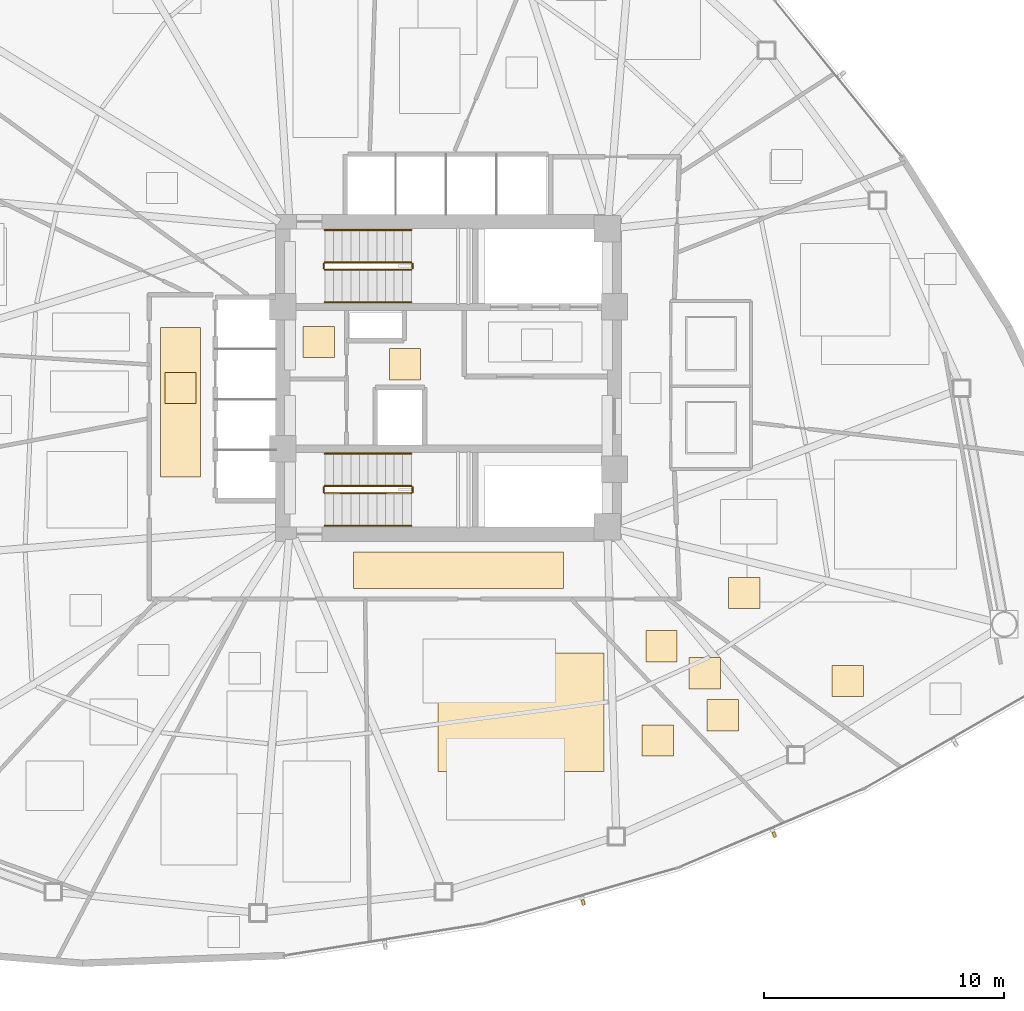
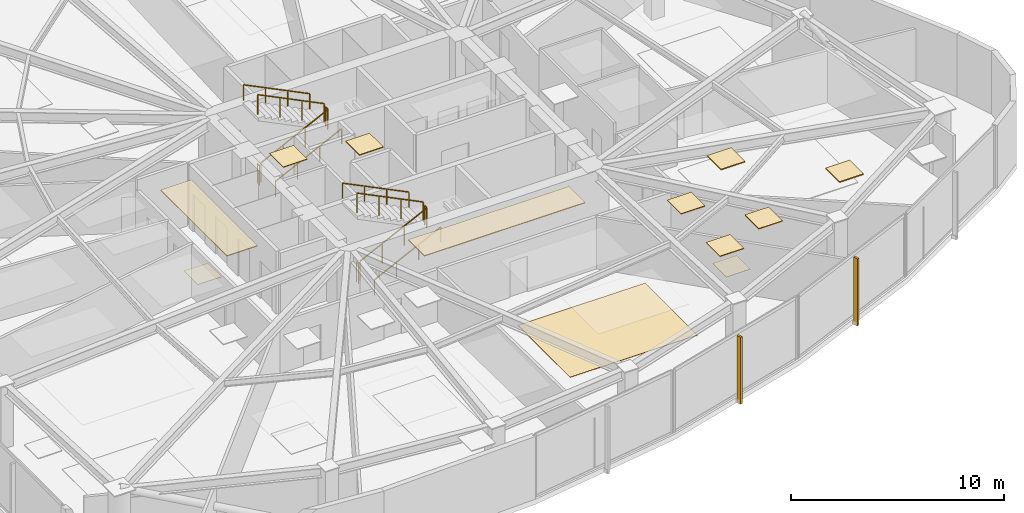
# One storey, part 15 of 17: 12 coverings, 12 railings, 2 shading devices.
"""IFC4 building model written with IfcOpenShell, lengths in metres."""

from ifc_helpers import new_model, si_unit, direction, frame, origin, origin_2d, place, context, subcontext, project, spatial, polyline, rectangle, outline, extrude, source, transform, mapped, material, layer, layer_set, type_object, type_shapes, element, save


model = new_model("IFC4")

# Units and contexts
model_context = context("Model", 3, precision=1e-05, world=origin(), true_north=direction((0.0, 1.0)))
body_context = subcontext(model_context, "Body", "Model", "MODEL_VIEW")
ifc_project = project(units=[si_unit("LENGTHUNIT", "METRE"), si_unit("AREAUNIT", "SQUARE_METRE"), si_unit("VOLUMEUNIT", "CUBIC_METRE"), si_unit("PLANEANGLEUNIT", "RADIAN"), si_unit("MASSUNIT", "GRAM", prefix="KILO")], contexts=[model_context])

# Site, building, storey
site_placement = place(None, origin())
site = spatial("IfcSite", under=ifc_project, at=site_placement, CompositionType="ELEMENT")
building_placement = place(site_placement, origin())
building = spatial("IfcBuilding", under=site, at=building_placement, Name="Tavelor Broadcast Tower", CompositionType="ELEMENT")
storey_placement = place(building_placement, frame((0.0, 0.0, 78.300048828125)))
storey = spatial("IfcBuildingStorey", under=building, at=storey_placement, Name="L18", CompositionType="ELEMENT", Elevation=78.300048828125)

# Coverings
ifc_material_1 = material(Name="Copper-Bronze Anodized Aluminium", Category="aluminium")
ifc_layer_1 = layer(ifc_material_1, 0.044921875)
ifc_layer_set_1 = layer_set([ifc_layer_1], Name="Copper-Bronze Anodized Aluminium")
covering_type_1 = type_object("IfcCoveringType", Name="Anodised Bronze Linear Slatted Concourse Ceiling 45 mm", PredefinedType="CEILING", material=ifc_layer_set_1)
covering_1_placement = place(storey_placement, frame((0.0, 0.0, 3.554931640625)))
element("IfcCovering", 1, at=covering_1_placement, inside=storey, type_object=covering_type_1, Name="L18 Suspended Acoustic Ceiling 0734", PredefinedType="CEILING", context=body_context, shape_type="SweptSolid", body=[
    extrude(outline(polyline([(47.5400390625, 44.919921875), (48.840087890625, 44.919921875), (48.840087890625, 46.219970703125), (47.5400390625, 46.219970703125), (47.5400390625, 44.919921875)])), origin(), (0.0, 0.0, 1.0), 0.044921875),
])
covering_2_placement = place(storey_placement, frame((0.0, 0.0, 3.554931640625)))
element("IfcCovering", 2, at=covering_2_placement, inside=storey, type_object=covering_type_1, Name="L18 Suspended Acoustic Ceiling 0737", PredefinedType="CEILING", context=body_context, shape_type="SweptSolid", body=[
    extrude(outline(polyline([(46.05078125, 36.23828125), (54.776611328125, 36.23828125), (54.776611328125, 37.76171875), (46.05078125, 37.76171875), (46.05078125, 36.23828125)])), origin(), (0.0, 0.0, 1.0), 0.044921875),
])
covering_3_placement = place(storey_placement, frame((0.0, 0.0, 3.554931640625)))
element("IfcCovering", 3, at=covering_3_placement, inside=storey, type_object=covering_type_1, Name="L18 Suspended Acoustic Ceiling 0738", PredefinedType="CEILING", context=body_context, shape_type="SweptSolid", body=[
    extrude(outline(polyline([(38.01611328125, 40.868896484375), (39.683837890625, 40.868896484375), (39.683837890625, 47.096923828125), (38.01611328125, 47.096923828125), (38.01611328125, 40.868896484375)])), origin(), (0.0, 0.0, 1.0), 0.044921875),
])

# Railings
ifc_material_2 = material(Name="Steel S355", Category="steel")
railing_type_1 = type_object("IfcRailingType", Name="Continuous Brushed Stainless Handrail 900 mm", PredefinedType="HANDRAIL", material=ifc_material_2)
railing_1_placement = place(storey_placement, frame((44.85009765625, 48.14990234375, 0.17724609375)))
element("IfcRailing", 4, at=railing_1_placement, inside=storey, type_object=railing_type_1, Name="L18 ST1 stair handrail 1", PredefinedType="HANDRAIL", context=body_context, shape_type="SweptSolid", body=[
    extrude(rectangle(XDim=0.048095703125, YDim=0.048095703125, at=origin_2d()), frame((0.0, 0.0, 0.8759765625), z_axis=(0.897124305991, 0.0, 0.441778201817), x_axis=(0.0, 1.0, 0.0)), (0.0, 0.0, 1.0), 4.0126953125),
    extrude(rectangle(XDim=0.0419921875, YDim=0.0419921875, at=origin_2d()), origin(), (0.0, 0.0, 1.0), 0.851806640625),
    extrude(rectangle(XDim=0.0419921875, YDim=0.0419921875, at=origin_2d()), frame((1.199951171875, 0.0, 0.5908203125)), (0.0, 0.0, 1.0), 0.851806640625),
    extrude(rectangle(XDim=0.0419921875, YDim=0.0419921875, at=origin_2d()), frame((2.39990234375, 0.0, 1.181884765625)), (0.0, 0.0, 1.0), 0.851806640625),
    extrude(rectangle(XDim=0.0419921875, YDim=0.0419921875, at=origin_2d()), frame((3.599853515625, 0.0, 1.772705078125)), (0.0, 0.0, 1.0), 0.851806640625),
])
railing_2_placement = place(storey_placement, frame((48.449951171875, 51.14990234375, 2.127197265625)))
element("IfcRailing", 5, at=railing_2_placement, inside=storey, type_object=railing_type_1, Name="L18 ST1 stair handrail 2", PredefinedType="HANDRAIL", context=body_context, shape_type="SweptSolid", body=[
    extrude(rectangle(XDim=0.048095703125, YDim=0.048095703125, at=origin_2d()), frame((0.0, 0.0, 0.8759765625), z_axis=(-0.897124305991, 0.0, 0.441778201817), x_axis=(0.0, -1.0, 0.0)), (0.0, 0.0, 1.0), 4.0126953125),
    extrude(rectangle(XDim=0.0419921875, YDim=0.0419921875, at=origin_2d()), origin(), (0.0, 0.0, 1.0), 0.851806640625),
    extrude(rectangle(XDim=0.0419921875, YDim=0.0419921875, at=origin_2d()), frame((-1.199951171875, 0.0, 0.5908203125)), (0.0, 0.0, 1.0), 0.851806640625),
    extrude(rectangle(XDim=0.0419921875, YDim=0.0419921875, at=origin_2d()), frame((-2.39990234375, 0.0, 1.181884765625)), (0.0, 0.0, 1.0), 0.851806640625),
    extrude(rectangle(XDim=0.0419921875, YDim=0.0419921875, at=origin_2d()), frame((-3.599853515625, 0.0, 1.772705078125)), (0.0, 0.0, 1.0), 0.851806640625),
])
railing_3_placement = place(storey_placement, frame((44.85009765625, 38.85009765625, 0.17724609375)))
element("IfcRailing", 6, at=railing_3_placement, inside=storey, type_object=railing_type_1, Name="L18 ST2 stair handrail 1", PredefinedType="HANDRAIL", context=body_context, shape_type="SweptSolid", body=[
    extrude(rectangle(XDim=0.048095703125, YDim=0.048095703125, at=origin_2d()), frame((0.0, 0.0, 0.8759765625), z_axis=(0.897124305991, 0.0, 0.441778201817), x_axis=(0.0, 1.0, 0.0)), (0.0, 0.0, 1.0), 4.0126953125),
    extrude(rectangle(XDim=0.0419921875, YDim=0.0419921875, at=origin_2d()), origin(), (0.0, 0.0, 1.0), 0.851806640625),
    extrude(rectangle(XDim=0.0419921875, YDim=0.0419921875, at=origin_2d()), frame((1.199951171875, 0.0, 0.5908203125)), (0.0, 0.0, 1.0), 0.851806640625),
    extrude(rectangle(XDim=0.0419921875, YDim=0.0419921875, at=origin_2d()), frame((2.39990234375, 0.0, 1.181884765625)), (0.0, 0.0, 1.0), 0.851806640625),
    extrude(rectangle(XDim=0.0419921875, YDim=0.0419921875, at=origin_2d()), frame((3.599853515625, 0.0, 1.772705078125)), (0.0, 0.0, 1.0), 0.851806640625),
])
railing_4_placement = place(storey_placement, frame((48.449951171875, 41.85009765625, 2.127197265625)))
element("IfcRailing", 7, at=railing_4_placement, inside=storey, type_object=railing_type_1, Name="L18 ST2 stair handrail 2", PredefinedType="HANDRAIL", context=body_context, shape_type="SweptSolid", body=[
    extrude(rectangle(XDim=0.048095703125, YDim=0.048095703125, at=origin_2d()), frame((0.0, 0.0, 0.8759765625), z_axis=(-0.897124305991, 0.0, 0.441778201817), x_axis=(0.0, -1.0, 0.0)), (0.0, 0.0, 1.0), 4.0126953125),
    extrude(rectangle(XDim=0.0419921875, YDim=0.0419921875, at=origin_2d()), origin(), (0.0, 0.0, 1.0), 0.851806640625),
    extrude(rectangle(XDim=0.0419921875, YDim=0.0419921875, at=origin_2d()), frame((-1.199951171875, 0.0, 0.5908203125)), (0.0, 0.0, 1.0), 0.851806640625),
    extrude(rectangle(XDim=0.0419921875, YDim=0.0419921875, at=origin_2d()), frame((-2.39990234375, 0.0, 1.181884765625)), (0.0, 0.0, 1.0), 0.851806640625),
    extrude(rectangle(XDim=0.0419921875, YDim=0.0419921875, at=origin_2d()), frame((-3.599853515625, 0.0, 1.772705078125)), (0.0, 0.0, 1.0), 0.851806640625),
])

# Coverings
ifc_material_3 = material(Name="Acoustic Nylon Carpet Tile")
ifc_layer_2 = layer(ifc_material_3, 0.02001953125)
ifc_layer_set_2 = layer_set([ifc_layer_2], Name="Acoustic Nylon Carpet Tile")
covering_type_2 = type_object("IfcCoveringType", Name="Heavy-Duty Acoustic Broadcast Carpet Tile 20 mm", PredefinedType="FLOORING", material=ifc_layer_set_2)
covering_4_placement = place(storey_placement, origin())
element("IfcCovering", 8, at=covering_4_placement, inside=storey, type_object=covering_type_2, Name="L18 Broadcast Floor Finish 0258", PredefinedType="FLOORING", context=body_context, shape_type="SweptSolid", body=[
    extrude(outline(polyline([(60.01025390625, 32.06005859375), (61.310302734375, 32.06005859375), (61.310302734375, 33.360107421875), (60.01025390625, 33.360107421875), (60.01025390625, 32.06005859375)])), origin(), (0.0, 0.0, 1.0), 0.02001953125),
])
covering_5_placement = place(storey_placement, origin())
element("IfcCovering", 9, at=covering_5_placement, inside=storey, type_object=covering_type_2, Name="L18 Broadcast Floor Finish 0259", PredefinedType="FLOORING", context=body_context, shape_type="SweptSolid", body=[
    extrude(outline(polyline([(49.560546875, 28.62890625), (56.46630859375, 28.62890625), (56.46630859375, 33.54248046875), (49.560546875, 33.54248046875), (49.560546875, 28.62890625)])), origin(), (0.0, 0.0, 1.0), 0.02001953125),
])
ifc_material_4 = material(Name="Honed Natural Limestone Tile", Category="masonry")
ifc_layer_3 = layer(ifc_material_4, 0.030029296875)
ifc_layer_set_3 = layer_set([ifc_layer_3], Name="Honed Natural Limestone Tile")
covering_type_3 = type_object("IfcCoveringType", Name="Honed Jerusalem Limestone Concourse Flooring 30 mm", PredefinedType="FLOORING", material=ifc_layer_set_3)
covering_6_placement = place(storey_placement, origin())
element("IfcCovering", 10, at=covering_6_placement, inside=storey, type_object=covering_type_3, Name="L18 Broadcast Floor Finish 0255", PredefinedType="FLOORING", context=body_context, shape_type="SweptSolid", body=[
    extrude(outline(polyline([(38.199951171875, 43.925048828125), (39.5, 43.925048828125), (39.5, 45.22509765625), (38.199951171875, 45.22509765625), (38.199951171875, 43.925048828125)])), origin(), (0.0, 0.0, 1.0), 0.030029296875),
])
ifc_material_5 = material(Name="Acoustic Perforated Timber Baffle", Category="wood")
ifc_layer_4 = layer(ifc_material_5, 0.054931640625)
ifc_layer_set_4 = layer_set([ifc_layer_4], Name="Acoustic Perforated Timber Baffle")
covering_type_4 = type_object("IfcCoveringType", Name="Micro-Perforated Acoustic Baffle Studio Ceiling 55 mm", PredefinedType="CEILING", material=ifc_layer_set_4)
covering_7_placement = place(storey_placement, frame((0.0, 0.0, 3.544921875)))
element("IfcCovering", 11, at=covering_7_placement, inside=storey, type_object=covering_type_4, Name="L18 Suspended Acoustic Ceiling 0777", PredefinedType="CEILING", context=body_context, shape_type="SweptSolid", body=[
    extrude(outline(polyline([(65.956787109375, 31.7373046875), (67.256591796875, 31.7373046875), (67.256591796875, 33.037353515625), (65.956787109375, 33.037353515625), (65.956787109375, 31.7373046875)])), origin(), (0.0, 0.0, 1.0), 0.054931640625),
])
covering_8_placement = place(storey_placement, frame((0.0, 0.0, 3.544921875)))
element("IfcCovering", 12, at=covering_8_placement, inside=storey, type_object=covering_type_4, Name="L18 Suspended Acoustic Ceiling 0779", PredefinedType="CEILING", context=body_context, shape_type="SweptSolid", body=[
    extrude(outline(polyline([(61.6533203125, 35.400146484375), (62.953369140625, 35.400146484375), (62.953369140625, 36.7001953125), (61.6533203125, 36.7001953125), (61.6533203125, 35.400146484375)])), origin(), (0.0, 0.0, 1.0), 0.054931640625),
])

# Railings
railing_type_2 = type_object("IfcRailingType", Name="Stairwell Steel Safety Guardrail 1150 mm", PredefinedType="GUARDRAIL", material=ifc_material_2)
railing_5_placement = place(storey_placement, frame((44.85009765625, 49.5, 0.17724609375)))
element("IfcRailing", 13, at=railing_5_placement, inside=storey, type_object=railing_type_2, Name="L18 ST1 stair guard 1", PredefinedType="GUARDRAIL", context=body_context, shape_type="SweptSolid", body=[
    extrude(rectangle(XDim=0.048095703125, YDim=0.048095703125, at=origin_2d()), frame((0.0, 0.0, 1.1259765625), z_axis=(0.897124305991, 0.0, 0.441778201817), x_axis=(0.0, 1.0, 0.0)), (0.0, 0.0, 1.0), 4.0126953125),
    extrude(rectangle(XDim=0.0419921875, YDim=0.0419921875, at=origin_2d()), origin(), (0.0, 0.0, 1.0), 1.101806640625),
    extrude(rectangle(XDim=0.0419921875, YDim=0.0419921875, at=origin_2d()), frame((1.199951171875, 0.0, 0.5908203125)), (0.0, 0.0, 1.0), 1.101806640625),
    extrude(rectangle(XDim=0.0419921875, YDim=0.0419921875, at=origin_2d()), frame((2.39990234375, 0.0, 1.181884765625)), (0.0, 0.0, 1.0), 1.101806640625),
    extrude(rectangle(XDim=0.0419921875, YDim=0.0419921875, at=origin_2d()), frame((3.599853515625, 0.0, 1.772705078125)), (0.0, 0.0, 1.0), 1.101806640625),
])
railing_6_placement = place(storey_placement, frame((48.5, 49.550048828125, 1.949951171875)))
element("IfcRailing", 14, at=railing_6_placement, inside=storey, type_object=railing_type_2, Name="L18 ST1 stair guard 2", PredefinedType="GUARDRAIL", context=body_context, shape_type="SweptSolid", body=[
    extrude(rectangle(XDim=0.048095703125, YDim=0.048095703125, at=origin_2d()), frame((0.0, 0.0, 1.1259765625), z_axis=(0.0, 1.0, 0.0), x_axis=(-1.0, 0.0, 0.0)), (0.0, 0.0, 1.0), 0.199951171875),
    extrude(rectangle(XDim=0.0419921875, YDim=0.0419921875, at=origin_2d()), origin(), (0.0, 0.0, 1.0), 1.101806640625),
    extrude(rectangle(XDim=0.0419921875, YDim=0.0419921875, at=origin_2d()), frame((0.0, 0.199951171875, 0.0)), (0.0, 0.0, 1.0), 1.101806640625),
])
railing_7_placement = place(storey_placement, frame((48.449951171875, 49.800048828125, 2.127197265625)))
element("IfcRailing", 15, at=railing_7_placement, inside=storey, type_object=railing_type_2, Name="L18 ST1 stair guard 3", PredefinedType="GUARDRAIL", context=body_context, shape_type="SweptSolid", body=[
    extrude(rectangle(XDim=0.048095703125, YDim=0.048095703125, at=origin_2d()), frame((0.0, 0.0, 1.1259765625), z_axis=(-0.897124305991, 0.0, 0.441778201817), x_axis=(0.0, -1.0, 0.0)), (0.0, 0.0, 1.0), 4.0126953125),
    extrude(rectangle(XDim=0.0419921875, YDim=0.0419921875, at=origin_2d()), origin(), (0.0, 0.0, 1.0), 1.101806640625),
    extrude(rectangle(XDim=0.0419921875, YDim=0.0419921875, at=origin_2d()), frame((-1.199951171875, 0.0, 0.5908203125)), (0.0, 0.0, 1.0), 1.101806640625),
    extrude(rectangle(XDim=0.0419921875, YDim=0.0419921875, at=origin_2d()), frame((-2.39990234375, 0.0, 1.181884765625)), (0.0, 0.0, 1.0), 1.101806640625),
    extrude(rectangle(XDim=0.0419921875, YDim=0.0419921875, at=origin_2d()), frame((-3.599853515625, 0.0, 1.772705078125)), (0.0, 0.0, 1.0), 1.101806640625),
])
railing_8_placement = place(storey_placement, frame((44.800048828125, 49.550048828125, 0.0)))
element("IfcRailing", 16, at=railing_8_placement, inside=storey, type_object=railing_type_2, Name="L18 ST1 stair guard 4", PredefinedType="GUARDRAIL", context=body_context, shape_type="SweptSolid", body=[
    extrude(rectangle(XDim=0.048095703125, YDim=0.048095703125, at=origin_2d()), frame((0.0, 0.0, 1.1259765625), z_axis=(0.0, 1.0, 0.0), x_axis=(-1.0, 0.0, 0.0)), (0.0, 0.0, 1.0), 0.199951171875),
    extrude(rectangle(XDim=0.0419921875, YDim=0.0419921875, at=origin_2d()), origin(), (0.0, 0.0, 1.0), 1.101806640625),
    extrude(rectangle(XDim=0.0419921875, YDim=0.0419921875, at=origin_2d()), frame((0.0, 0.199951171875, 0.0)), (0.0, 0.0, 1.0), 1.101806640625),
])
railing_9_placement = place(storey_placement, frame((44.85009765625, 40.199951171875, 0.17724609375)))
element("IfcRailing", 17, at=railing_9_placement, inside=storey, type_object=railing_type_2, Name="L18 ST2 stair guard 1", PredefinedType="GUARDRAIL", context=body_context, shape_type="SweptSolid", body=[
    extrude(rectangle(XDim=0.048095703125, YDim=0.048095703125, at=origin_2d()), frame((0.0, 0.0, 1.1259765625), z_axis=(0.897124305991, 0.0, 0.441778201817), x_axis=(0.0, 1.0, 0.0)), (0.0, 0.0, 1.0), 4.0126953125),
    extrude(rectangle(XDim=0.0419921875, YDim=0.0419921875, at=origin_2d()), origin(), (0.0, 0.0, 1.0), 1.101806640625),
    extrude(rectangle(XDim=0.0419921875, YDim=0.0419921875, at=origin_2d()), frame((1.199951171875, 0.0, 0.5908203125)), (0.0, 0.0, 1.0), 1.101806640625),
    extrude(rectangle(XDim=0.0419921875, YDim=0.0419921875, at=origin_2d()), frame((2.39990234375, 0.0, 1.181884765625)), (0.0, 0.0, 1.0), 1.101806640625),
    extrude(rectangle(XDim=0.0419921875, YDim=0.0419921875, at=origin_2d()), frame((3.599853515625, 0.0, 1.772705078125)), (0.0, 0.0, 1.0), 1.101806640625),
])
railing_10_placement = place(storey_placement, frame((48.5, 40.25, 1.949951171875)))
element("IfcRailing", 18, at=railing_10_placement, inside=storey, type_object=railing_type_2, Name="L18 ST2 stair guard 2", PredefinedType="GUARDRAIL", context=body_context, shape_type="SweptSolid", body=[
    extrude(rectangle(XDim=0.048095703125, YDim=0.048095703125, at=origin_2d()), frame((0.0, 0.0, 1.1259765625), z_axis=(0.0, 1.0, 0.0), x_axis=(-1.0, 0.0, 0.0)), (0.0, 0.0, 1.0), 0.199951171875),
    extrude(rectangle(XDim=0.0419921875, YDim=0.0419921875, at=origin_2d()), origin(), (0.0, 0.0, 1.0), 1.101806640625),
    extrude(rectangle(XDim=0.0419921875, YDim=0.0419921875, at=origin_2d()), frame((0.0, 0.199951171875, 0.0)), (0.0, 0.0, 1.0), 1.101806640625),
])
railing_11_placement = place(storey_placement, frame((48.449951171875, 40.5, 2.127197265625)))
element("IfcRailing", 19, at=railing_11_placement, inside=storey, type_object=railing_type_2, Name="L18 ST2 stair guard 3", PredefinedType="GUARDRAIL", context=body_context, shape_type="SweptSolid", body=[
    extrude(rectangle(XDim=0.048095703125, YDim=0.048095703125, at=origin_2d()), frame((0.0, 0.0, 1.1259765625), z_axis=(-0.897124305991, 0.0, 0.441778201817), x_axis=(0.0, -1.0, 0.0)), (0.0, 0.0, 1.0), 4.0126953125),
    extrude(rectangle(XDim=0.0419921875, YDim=0.0419921875, at=origin_2d()), origin(), (0.0, 0.0, 1.0), 1.101806640625),
    extrude(rectangle(XDim=0.0419921875, YDim=0.0419921875, at=origin_2d()), frame((-1.199951171875, 0.0, 0.5908203125)), (0.0, 0.0, 1.0), 1.101806640625),
    extrude(rectangle(XDim=0.0419921875, YDim=0.0419921875, at=origin_2d()), frame((-2.39990234375, 0.0, 1.181884765625)), (0.0, 0.0, 1.0), 1.101806640625),
    extrude(rectangle(XDim=0.0419921875, YDim=0.0419921875, at=origin_2d()), frame((-3.599853515625, 0.0, 1.772705078125)), (0.0, 0.0, 1.0), 1.101806640625),
])
railing_12_placement = place(storey_placement, frame((44.800048828125, 40.25, 0.0)))
element("IfcRailing", 20, at=railing_12_placement, inside=storey, type_object=railing_type_2, Name="L18 ST2 stair guard 4", PredefinedType="GUARDRAIL", context=body_context, shape_type="SweptSolid", body=[
    extrude(rectangle(XDim=0.048095703125, YDim=0.048095703125, at=origin_2d()), frame((0.0, 0.0, 1.1259765625), z_axis=(0.0, 1.0, 0.0), x_axis=(-1.0, 0.0, 0.0)), (0.0, 0.0, 1.0), 0.199951171875),
    extrude(rectangle(XDim=0.0419921875, YDim=0.0419921875, at=origin_2d()), origin(), (0.0, 0.0, 1.0), 1.101806640625),
    extrude(rectangle(XDim=0.0419921875, YDim=0.0419921875, at=origin_2d()), frame((0.0, 0.199951171875, 0.0)), (0.0, 0.0, 1.0), 1.101806640625),
])

# Coverings
ifc_material_6 = material(Name="Acoustic Mineral Fibre Tile")
ifc_layer_5 = layer(ifc_material_6, 0.0400390625)
ifc_layer_set_5 = layer_set([ifc_layer_5], Name="Acoustic Mineral Fibre Tile")
covering_type_5 = type_object("IfcCoveringType", Name="Suspended Acoustic Mineral-Fibre Office Ceiling 40 mm", PredefinedType="CEILING", material=ifc_layer_set_5)
covering_9_placement = place(storey_placement, frame((0.0, 0.0, 3.56005859375)))
element("IfcCovering", 21, at=covering_9_placement, inside=storey, type_object=covering_type_5, Name="L18 Suspended Acoustic Ceiling 0735", PredefinedType="CEILING", context=body_context, shape_type="SweptSolid", body=[
    extrude(outline(polyline([(43.951416015625, 45.843017578125), (45.25146484375, 45.843017578125), (45.25146484375, 47.14306640625), (43.951416015625, 47.14306640625), (43.951416015625, 45.843017578125)])), origin(), (0.0, 0.0, 1.0), 0.039794921875),
])
covering_10_placement = place(storey_placement, frame((0.0, 0.0, 3.56005859375)))
element("IfcCovering", 22, at=covering_10_placement, inside=storey, type_object=covering_type_5, Name="L18 Suspended Acoustic Ceiling 0741", PredefinedType="CEILING", context=body_context, shape_type="SweptSolid", body=[
    extrude(outline(polyline([(60.754150390625, 30.3115234375), (62.05419921875, 30.3115234375), (62.05419921875, 31.611572265625), (60.754150390625, 31.611572265625), (60.754150390625, 30.3115234375)])), origin(), (0.0, 0.0, 1.0), 0.039794921875),
])
covering_11_placement = place(storey_placement, frame((0.0, 0.0, 3.56005859375)))
element("IfcCovering", 23, at=covering_11_placement, inside=storey, type_object=covering_type_5, Name="L18 Suspended Acoustic Ceiling 0742", PredefinedType="CEILING", context=body_context, shape_type="SweptSolid", body=[
    extrude(outline(polyline([(58.20654296875, 33.186279296875), (59.506591796875, 33.186279296875), (59.506591796875, 34.486083984375), (58.20654296875, 34.486083984375), (58.20654296875, 33.186279296875)])), origin(), (0.0, 0.0, 1.0), 0.039794921875),
])
covering_12_placement = place(storey_placement, frame((0.0, 0.0, 3.56005859375)))
element("IfcCovering", 24, at=covering_12_placement, inside=storey, type_object=covering_type_5, Name="L18 Suspended Acoustic Ceiling 0744", PredefinedType="CEILING", context=body_context, shape_type="SweptSolid", body=[
    extrude(outline(polyline([(58.0517578125, 29.266845703125), (59.351806640625, 29.266845703125), (59.351806640625, 30.56689453125), (58.0517578125, 30.56689453125), (58.0517578125, 29.266845703125)])), origin(), (0.0, 0.0, 1.0), 0.039794921875),
])

# Shading devices
ifc_material_7 = material(Name="Kiln-Fired Glazed Terracotta", Category="masonry")
shading_device_type = type_object("IfcShadingDeviceType", Name="Extruded Terracotta Baguette Sun-Screen 110x240", PredefinedType="JALOUSIE", material=ifc_material_7)
shared_shape = source(origin(), body_context, "Body", "SweptSolid", [
    extrude(rectangle(XDim=0.110107421875, YDim=0.239990234375, at=origin_2d()), origin(), (0.0, 0.0, 1.0), 3.840087890625),
])
type_shapes(shading_device_type, [shared_shape])
for number, where, z_axis, x_axis, name in (
    (25, (55.601318359375, 23.17138671875, -0.26025390625), (0.0, 0.0, 1.0), (0.960924224062, 0.276811552523, 0.0), "L18 Terracotta Baguette Fin 174"),
    (26, (63.550537109375, 25.994384765625, -0.26025390625), (0.0, 0.0, 1.0), (0.920300140941, 0.391213050121, 0.0), "L18 Terracotta Baguette Fin 175"),
):
    element("IfcShadingDevice", number, at=place(storey_placement, frame(where, z_axis=z_axis, x_axis=x_axis)), inside=storey, type_object=shading_device_type, Name=name, PredefinedType="JALOUSIE", context=body_context, shape_type="MappedRepresentation", body=[
        mapped(shared_shape, transform((0.0, 0.0, 0.0), scale=1.0)),
    ])

save(model, "model.ifc")
